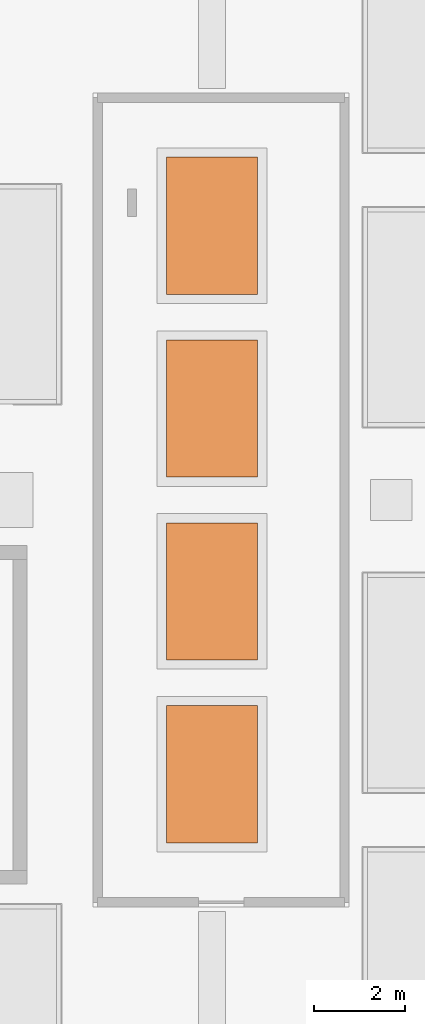
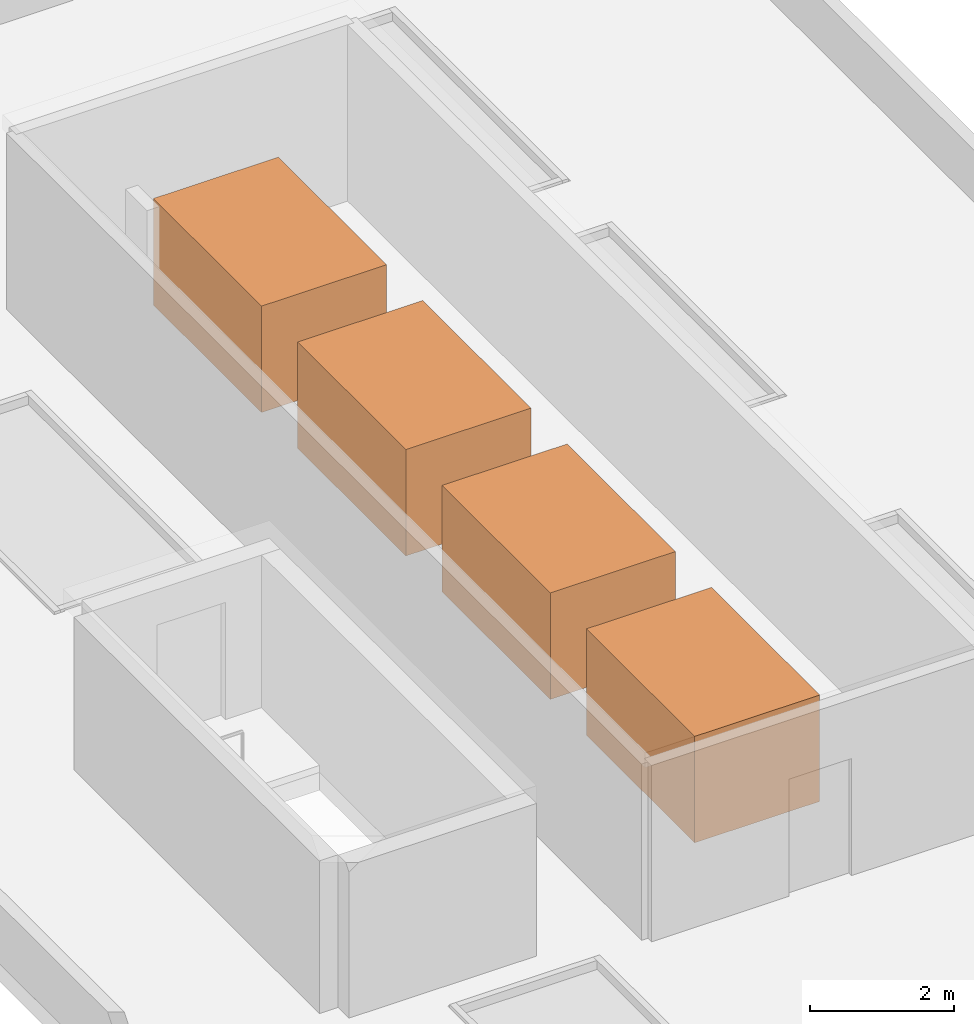
# One storey, part 19 of 19: 4 proxies.
"""IFC4 building model written with IfcOpenShell, lengths in metres."""

from ifc_helpers import new_model, si_unit, direction, frame, origin, origin_2d, place, context, subcontext, project, spatial, rectangle, extrude, material, type_object, element, save


model = new_model("IFC4")

# Units and contexts
model_context = context("Model", 3, precision=1e-05, world=origin(), true_north=direction((0.0, 1.0)))
body_context = subcontext(model_context, "Body", "Model", "MODEL_VIEW")
ifc_project = project(units=[si_unit("LENGTHUNIT", "METRE"), si_unit("AREAUNIT", "SQUARE_METRE"), si_unit("VOLUMEUNIT", "CUBIC_METRE"), si_unit("PLANEANGLEUNIT", "RADIAN"), si_unit("MASSUNIT", "GRAM", prefix="KILO")], contexts=[model_context])

# Site, building, storey
site_placement = place(None, origin())
site = spatial("IfcSite", under=ifc_project, at=site_placement, CompositionType="ELEMENT")
building_placement = place(site_placement, origin())
building = spatial("IfcBuilding", under=site, at=building_placement, Name="Plateau Cross Towers", CompositionType="ELEMENT")
storey_placement = place(building_placement, frame((0.0, 0.0, 128.60009765625)))
storey = spatial("IfcBuildingStorey", under=building, at=storey_placement, Name="L33", CompositionType="ELEMENT", Elevation=128.60009765625)

# Proxies
ifc_material = material(Name="Galvanised steel casing", Category="steel")
building_element_proxy_type_1 = type_object("IfcBuildingElementProxyType", Name="Air handling unit 3000x2000x1800", PredefinedType="USERDEFINED", material=ifc_material)
proxy_1_placement = place(storey_placement, frame((82.5, 15.0, 0.419921875), z_axis=(0.0, 0.0, 1.0), x_axis=(0.0, -1.0, 0.0)))
element("IfcBuildingElementProxy", 1, at=proxy_1_placement, inside=storey, type_object=building_element_proxy_type_1, Name="Air handling unit 1", ObjectType="AIR HANDLING UNIT", PredefinedType="USERDEFINED", context=body_context, shape_type="SweptSolid", body=[
    extrude(rectangle(XDim=3.0, YDim=2.0, at=origin_2d()), origin(), (0.0, 0.0, 1.0), 1.800048828125),
])
building_element_proxy_type_2 = type_object("IfcBuildingElementProxyType", Name="Chiller 3000x2000x1800", PredefinedType="USERDEFINED", material=ifc_material)
proxy_2_placement = place(storey_placement, frame((82.5, 11.0, 0.419921875), z_axis=(0.0, 0.0, 1.0), x_axis=(0.0, -1.0, 0.0)))
element("IfcBuildingElementProxy", 2, at=proxy_2_placement, inside=storey, type_object=building_element_proxy_type_2, Name="Chiller 2", ObjectType="CHILLER", PredefinedType="USERDEFINED", context=body_context, shape_type="SweptSolid", body=[
    extrude(rectangle(XDim=3.0, YDim=2.0, at=origin_2d()), origin(), (0.0, 0.0, 1.0), 1.800048828125),
])
building_element_proxy_type_3 = type_object("IfcBuildingElementProxyType", Name="Cooling tower 3000x2000x1800", PredefinedType="USERDEFINED", material=ifc_material)
proxy_3_placement = place(storey_placement, frame((82.5, 7.0, 0.419921875), z_axis=(0.0, 0.0, 1.0), x_axis=(0.0, -1.0, 0.0)))
element("IfcBuildingElementProxy", 3, at=proxy_3_placement, inside=storey, type_object=building_element_proxy_type_3, Name="Cooling tower 3", ObjectType="COOLING TOWER", PredefinedType="USERDEFINED", context=body_context, shape_type="SweptSolid", body=[
    extrude(rectangle(XDim=3.0, YDim=2.0, at=origin_2d()), origin(), (0.0, 0.0, 1.0), 1.800048828125),
])
building_element_proxy_type_4 = type_object("IfcBuildingElementProxyType", Name="Smoke extract fan 3000x2000x1800", PredefinedType="USERDEFINED", material=ifc_material)
proxy_4_placement = place(storey_placement, frame((82.5, 3.0, 0.419921875), z_axis=(0.0, 0.0, 1.0), x_axis=(0.0, -1.0, 0.0)))
element("IfcBuildingElementProxy", 4, at=proxy_4_placement, inside=storey, type_object=building_element_proxy_type_4, Name="Smoke extract fan 4", ObjectType="SMOKE EXTRACT FAN", PredefinedType="USERDEFINED", context=body_context, shape_type="SweptSolid", body=[
    extrude(rectangle(XDim=3.0, YDim=2.0, at=origin_2d()), origin(), (0.0, 0.0, 1.0), 1.800048828125),
])

save(model, "model.ifc")
